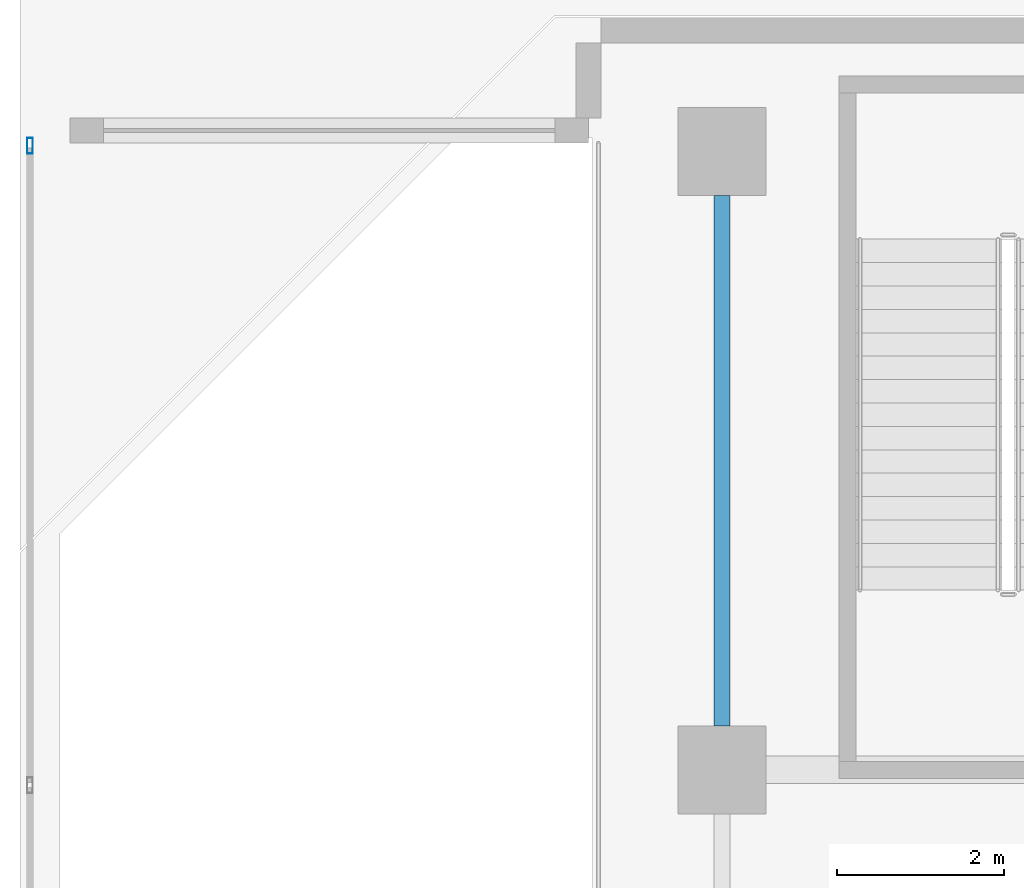
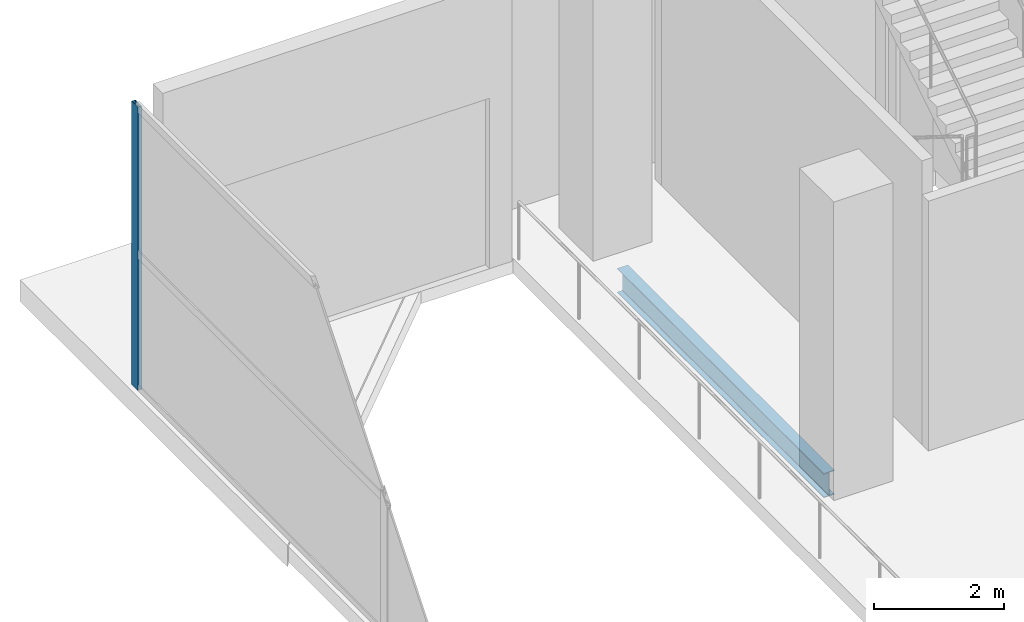
# One storey, part 21 of 35: 1 beam, 1 member, 1 element without a shape of its own.
"""IFC4 building model written with IfcOpenShell, lengths in metres."""

from ifc_helpers import new_model, si_unit, direction, frame, origin, origin_2d, place, context, subcontext, project, spatial, hollow_rectangle, i_section, extrude, material, layer, layer_set, material_profile, profile_set, type_object, element, aggregate, save


model = new_model("IFC4")

# Units and contexts
model_context = context("Model", 3, precision=1e-05, world=origin(), true_north=direction((0.0, 1.0)))
body_context = subcontext(model_context, "Body", "Model", "MODEL_VIEW")
ifc_project = project(units=[si_unit("LENGTHUNIT", "METRE"), si_unit("AREAUNIT", "SQUARE_METRE"), si_unit("VOLUMEUNIT", "CUBIC_METRE"), si_unit("PLANEANGLEUNIT", "RADIAN"), si_unit("MASSUNIT", "GRAM", prefix="KILO")], contexts=[model_context])

# Site, building, storey
site_placement = place(None, origin())
site = spatial("IfcSite", under=ifc_project, at=site_placement, CompositionType="ELEMENT")
building_placement = place(site_placement, origin())
building = spatial("IfcBuilding", under=site, at=building_placement, Name="Maruvema Waterfront Hotel and Observation Tower", CompositionType="ELEMENT")
storey_placement = place(building_placement, origin())
storey = spatial("IfcBuildingStorey", under=building, at=storey_placement, Name="L00", CompositionType="ELEMENT", Elevation=0.0)

# Beam
ifc_material_1 = material(Name="Steel ASTM A572 Grade 50", Category="steel")
ifc_material_profile_1 = material_profile(ifc_material_1, i_section(OverallWidth=0.18994140625, OverallDepth=0.45703125, WebThickness=0.009033203125, FlangeThickness=0.014404296875, FilletRadius=0.014892578125, at=origin_2d()), Name="W460x74.0")
ifc_profile_set_1 = profile_set([ifc_material_profile_1], Name="Steel ASTM A572 Grade 50")
beam_type = type_object("IfcBeamType", Name="Perimeter Spandrel Beam W460x74.0", PredefinedType="SPANDREL", material=ifc_profile_set_1)
beam_placement = place(storey_placement, frame((8.39990234375, 45.52490234375, -0.508544921875), z_axis=(0.0, 1.0, 0.0), x_axis=(-1.0, 0.0, 0.0)))
element("IfcBeam", 1, at=beam_placement, inside=storey, type_object=beam_type, Name="L00 Floor Girder NS-06", PredefinedType="SPANDREL", context=body_context, shape_type="SweptSolid", body=[
    extrude(i_section(OverallWidth=0.18994140625, OverallDepth=0.45703125, WebThickness=0.009033203125, FlangeThickness=0.014404296875, FilletRadius=0.014892578125, at=origin_2d()), origin(), (0.0, 0.0, 1.0), 6.35009765625),
])

# Curtain wall, member
ifc_material_2 = material(Name="Anodised bronze aluminium and solar-control low-E IGU", Category="aluminium")
ifc_layer = layer(ifc_material_2, 0.159912109375, Name="Podium Waterfront Storefront Curtain Wall System CW-01")
ifc_layer_set = layer_set([ifc_layer], Name="Anodised bronze aluminium and solar-control low-E IGU")
curtain_wall_type = type_object("IfcCurtainWallType", Name="Podium Waterfront Storefront Curtain Wall System CW-01", PredefinedType="USERDEFINED", material=ifc_layer_set)
curtain_wall_placement = place(storey_placement, origin())
curtain_wall = element("IfcCurtainWall", 2, at=curtain_wall_placement, inside=storey, type_object=curtain_wall_type, Name="L00 Curtain Wall CW-L00-W", ObjectType="UNITISED CURTAIN WALL", PredefinedType="USERDEFINED")
ifc_material_3 = material(Name="Anodised architectural bronze aluminium", Category="aluminium")
ifc_material_profile_2 = material_profile(ifc_material_3, hollow_rectangle(XDim=0.070068359375, YDim=0.18994140625, WallThickness=0.00390625, at=origin_2d()), Name="ALU-M70x190")
ifc_profile_set_2 = profile_set([ifc_material_profile_2], Name="Anodised architectural bronze aluminium")
member_type = type_object("IfcMemberType", Name="Podium Storefront Heavy Mullion ALU-M70x190", PredefinedType="MULLION", material=ifc_profile_set_2)
member_placement = place(storey_placement, frame((0.1201171875, 52.469970703125, 0.0), z_axis=(0.0, 0.0, 1.0), x_axis=(1.0, 0.0, 0.0)))
member = element("IfcMember", 3, at=member_placement, type_object=member_type, Name="CW-01 mullion 1", PredefinedType="MULLION", context=body_context, shape_type="SweptSolid", body=[
    extrude(hollow_rectangle(XDim=0.070068359375, YDim=0.18994140625, WallThickness=0.00390625, at=origin_2d()), origin(), (0.0, 0.0, 1.0), 5.320068359375),
])
aggregate(curtain_wall, [member])

save(model, "model.ifc")
